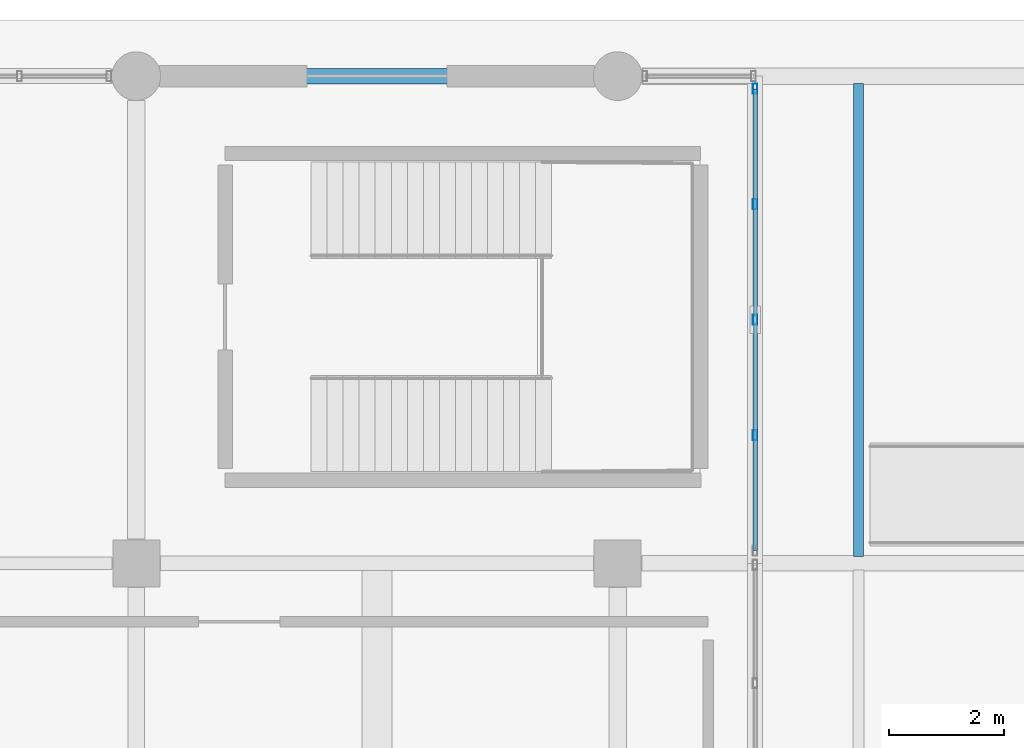
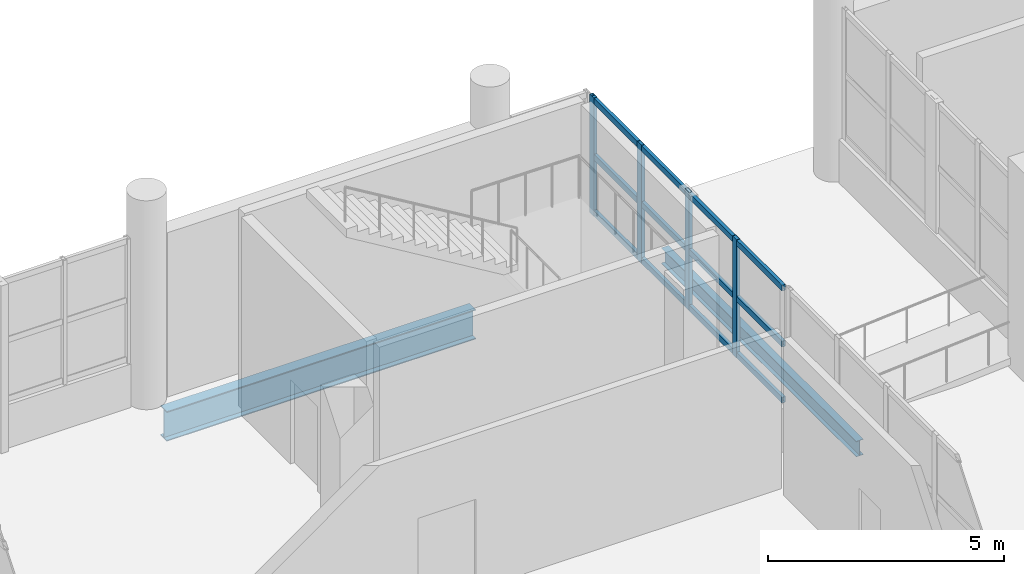
# One storey, part 64 of 107: 7 members, 2 beams, 1 element without a shape of its own.
"""IFC4 building model written with IfcOpenShell, lengths in metres."""

from ifc_helpers import new_model, si_unit, direction, frame, origin, origin_2d, place, context, subcontext, project, spatial, hollow_rectangle, i_section, extrude, material, material_profile, profile_set, type_object, element, aggregate, save


model = new_model("IFC4")

# Units and contexts
model_context = context("Model", 3, precision=1e-05, world=origin(), true_north=direction((0.0, 1.0)))
body_context = subcontext(model_context, "Body", "Model", "MODEL_VIEW")
ifc_project = project(units=[si_unit("LENGTHUNIT", "METRE"), si_unit("AREAUNIT", "SQUARE_METRE"), si_unit("VOLUMEUNIT", "CUBIC_METRE"), si_unit("PLANEANGLEUNIT", "RADIAN"), si_unit("MASSUNIT", "GRAM", prefix="KILO")], contexts=[model_context])

# Site, building, storey
site_placement = place(None, origin())
site = spatial("IfcSite", under=ifc_project, at=site_placement, CompositionType="ELEMENT")
building_placement = place(site_placement, origin())
building = spatial("IfcBuilding", under=site, at=building_placement, Name="Solvento Point Concert Hall", CompositionType="ELEMENT")
storey_placement = place(building_placement, origin())
storey = spatial("IfcBuildingStorey", under=building, at=storey_placement, Name="L00", CompositionType="ELEMENT", Elevation=0.0)

# Beams
ifc_material_1 = material(Name="Structural Steel ASTM A992 Grade 50", Category="steel")
ifc_material_profile_1 = material_profile(ifc_material_1, i_section(OverallWidth=0.26806640625, OverallDepth=0.77001953125, WebThickness=0.015625, FlangeThickness=0.025390625, at=origin_2d()), Name="W30X132")
ifc_profile_set_1 = profile_set([ifc_material_profile_1], Name="Structural Steel ASTM A992 Grade 50")
beam_type_1 = type_object("IfcBeamType", Name="Girder_W30X132", PredefinedType="USERDEFINED", material=ifc_profile_set_1)
beam_1_placement = place(storey_placement, frame((7.6240234375, 136.0, -0.799072265625), z_axis=(1.0, 0.0, 0.0), x_axis=(0.0, 1.0, 0.0)))
element("IfcBeam", 1, at=beam_1_placement, inside=storey, type_object=beam_type_1, Name="Primary girder B-68 L00", ObjectType="GIRDER", PredefinedType="USERDEFINED", context=body_context, shape_type="SweptSolid", body=[
    extrude(i_section(OverallWidth=0.26806640625, OverallDepth=0.77001953125, WebThickness=0.015625, FlangeThickness=0.025390625, at=origin_2d()), origin(), (0.0, 0.0, 1.0), 7.552001953125),
])
ifc_material_2 = material(Name="Structural Steel ASTM A992 Grade 50", Category="steel")
ifc_material_profile_2 = material_profile(ifc_material_2, i_section(OverallWidth=0.177490234375, OverallDepth=0.403076171875, WebThickness=0.007568359375, FlangeThickness=0.010986328125, at=origin_2d()), Name="W16X36")
ifc_profile_set_2 = profile_set([ifc_material_profile_2], Name="Structural Steel ASTM A992 Grade 50")
beam_type_2 = type_object("IfcBeamType", Name="Joist_W16X36", PredefinedType="JOIST", material=ifc_profile_set_2)
beam_2_placement = place(storey_placement, frame((19.800048828125, 127.618896484375, -0.615478515625), z_axis=(0.0, 1.0, 0.0), x_axis=(-1.0, 0.0, 0.0)))
element("IfcBeam", 2, at=beam_2_placement, inside=storey, type_object=beam_type_2, Name="Secondary floor joist B-30 L00", PredefinedType="JOIST", context=body_context, shape_type="SweptSolid", body=[
    extrude(i_section(OverallWidth=0.177490234375, OverallDepth=0.403076171875, WebThickness=0.007568359375, FlangeThickness=0.010986328125, at=origin_2d()), origin(), (0.0, 0.0, 1.0), 8.25),
])

# Curtain wall, members
ifc_material_3 = material(Name="Anodized Bronze Aluminium", Category="aluminium")
curtain_wall_type = type_object("IfcCurtainWallType", Name="CurtainWall_CourtPilotis", PredefinedType="USERDEFINED", material=ifc_material_3)
curtain_wall_placement = place(storey_placement, origin())
curtain_wall = element("IfcCurtainWall", 3, at=curtain_wall_placement, inside=storey, type_object=curtain_wall_type, Name="Unitised curtain wall CW-96 UCW-L00-066", ObjectType="UNITISED CURTAIN WALL", PredefinedType="USERDEFINED")
ifc_material_4 = material(Name="Anodized Bronze Aluminium", Category="aluminium")
ifc_material_profile_3 = material_profile(ifc_material_4, hollow_rectangle(XDim=0.080078125, YDim=0.179931640625, WallThickness=0.00390625, at=origin_2d()), Name="CW-MUL-80X180")
ifc_profile_set_3 = profile_set([ifc_material_profile_3], Name="Anodized Bronze Aluminium")
member_type_1 = type_object("IfcMemberType", Name="Mullion_80x180", PredefinedType="MULLION", material=ifc_profile_set_3)
member_1_placement = place(storey_placement, frame((18.0, 129.735107421875, 1.1201171875), z_axis=(0.0, 0.0, 1.0), x_axis=(1.0, 0.0, 0.0)))
member_1 = element("IfcMember", 4, at=member_1_placement, type_object=member_type_1, Name="Curtain wall mullion ML-01", PredefinedType="MULLION", context=body_context, shape_type="SweptSolid", body=[
    extrude(hollow_rectangle(XDim=0.080078125, YDim=0.179931640625, WallThickness=0.00390625, at=origin_2d()), origin(), (0.0, 0.0, 1.0), 3.056884765625),
])
member_2_placement = place(storey_placement, frame((18.0, 131.75, 1.1201171875), z_axis=(0.0, 0.0, 1.0), x_axis=(1.0, 0.0, 0.0)))
member_2 = element("IfcMember", 5, at=member_2_placement, type_object=member_type_1, Name="Curtain wall mullion ML-01", PredefinedType="MULLION", context=body_context, shape_type="SweptSolid", body=[
    extrude(hollow_rectangle(XDim=0.080078125, YDim=0.179931640625, WallThickness=0.00390625, at=origin_2d()), origin(), (0.0, 0.0, 1.0), 3.056884765625),
])
member_3_placement = place(storey_placement, frame((18.0, 133.764892578125, 1.1201171875), z_axis=(0.0, 0.0, 1.0), x_axis=(1.0, 0.0, 0.0)))
member_3 = element("IfcMember", 6, at=member_3_placement, type_object=member_type_1, Name="Curtain wall mullion ML-01", PredefinedType="MULLION", context=body_context, shape_type="SweptSolid", body=[
    extrude(hollow_rectangle(XDim=0.080078125, YDim=0.179931640625, WallThickness=0.00390625, at=origin_2d()), origin(), (0.0, 0.0, 1.0), 3.056884765625),
])
member_4_placement = place(storey_placement, frame((18.0, 135.780029296875, 1.1201171875), z_axis=(0.0, 0.0, 1.0), x_axis=(1.0, 0.0, 0.0)))
member_4 = element("IfcMember", 7, at=member_4_placement, type_object=member_type_1, Name="Curtain wall mullion ML-01", PredefinedType="MULLION", context=body_context, shape_type="SweptSolid", body=[
    extrude(hollow_rectangle(XDim=0.080078125, YDim=0.179931640625, WallThickness=0.00390625, at=origin_2d()), origin(), (0.0, 0.0, 1.0), 3.056884765625),
])
ifc_material_5 = material(Name="Anodized Bronze Aluminium", Category="aluminium")
ifc_material_profile_4 = material_profile(ifc_material_5, hollow_rectangle(XDim=0.080078125, YDim=0.14990234375, WallThickness=0.00390625, at=origin_2d()), Name="CW-TRN-80X150")
ifc_profile_set_4 = profile_set([ifc_material_profile_4], Name="Anodized Bronze Aluminium")
member_type_2 = type_object("IfcMemberType", Name="Transom_80x150", PredefinedType="USERDEFINED", material=ifc_profile_set_4)
member_5_placement = place(storey_placement, frame((18.0, 127.719970703125, 1.199951171875), z_axis=(0.0, 1.0, 0.0), x_axis=(-1.0, 0.0, 0.0)))
member_5 = element("IfcMember", 8, at=member_5_placement, type_object=member_type_2, Name="Curtain wall transom TR-01", ObjectType="TRANSOM", PredefinedType="USERDEFINED", context=body_context, shape_type="SweptSolid", body=[
    extrude(hollow_rectangle(XDim=0.080078125, YDim=0.14990234375, WallThickness=0.00390625, at=origin_2d()), origin(), (0.0, 0.0, 1.0), 8.06005859375),
])
member_6_placement = place(storey_placement, frame((18.0, 127.719970703125, 2.6484375), z_axis=(0.0, 1.0, 0.0), x_axis=(-1.0, 0.0, 0.0)))
member_6 = element("IfcMember", 9, at=member_6_placement, type_object=member_type_2, Name="Curtain wall transom TR-01", ObjectType="TRANSOM", PredefinedType="USERDEFINED", context=body_context, shape_type="SweptSolid", body=[
    extrude(hollow_rectangle(XDim=0.080078125, YDim=0.14990234375, WallThickness=0.00390625, at=origin_2d()), origin(), (0.0, 0.0, 1.0), 8.06005859375),
])
member_7_placement = place(storey_placement, frame((18.0, 127.719970703125, 4.096923828125), z_axis=(0.0, 1.0, 0.0), x_axis=(-1.0, 0.0, 0.0)))
member_7 = element("IfcMember", 10, at=member_7_placement, type_object=member_type_2, Name="Curtain wall transom TR-01", ObjectType="TRANSOM", PredefinedType="USERDEFINED", context=body_context, shape_type="SweptSolid", body=[
    extrude(hollow_rectangle(XDim=0.080078125, YDim=0.14990234375, WallThickness=0.00390625, at=origin_2d()), origin(), (0.0, 0.0, 1.0), 8.06005859375),
])
aggregate(curtain_wall, [member_1, member_2, member_3, member_4, member_5, member_6, member_7])

save(model, "model.ifc")
